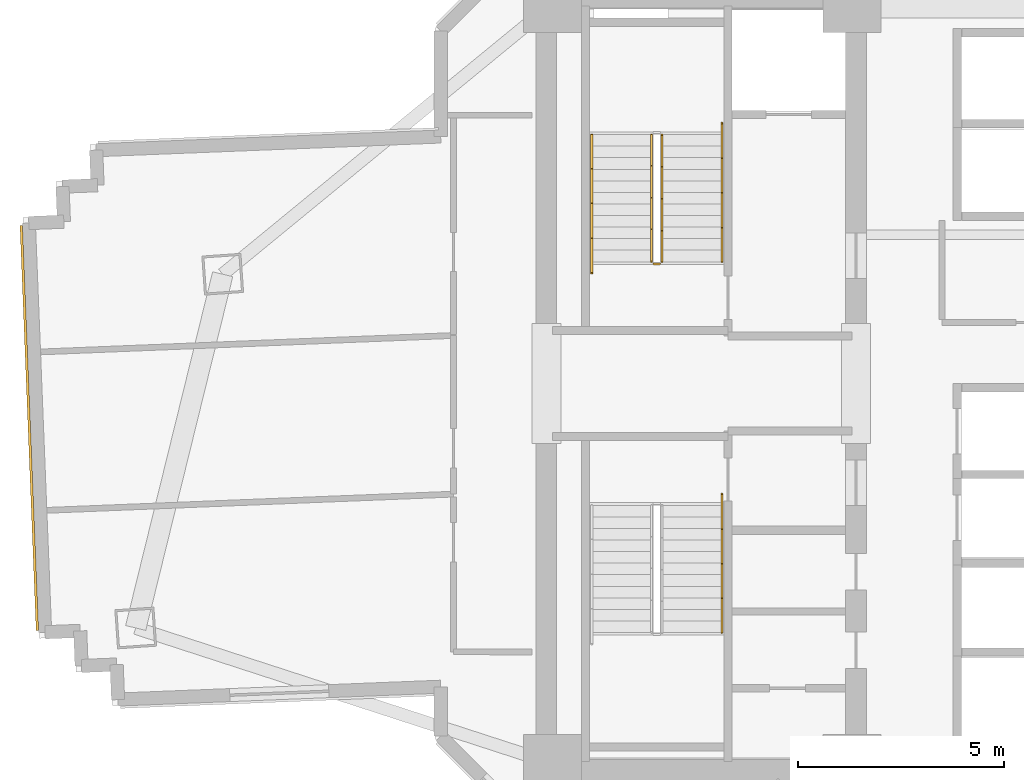
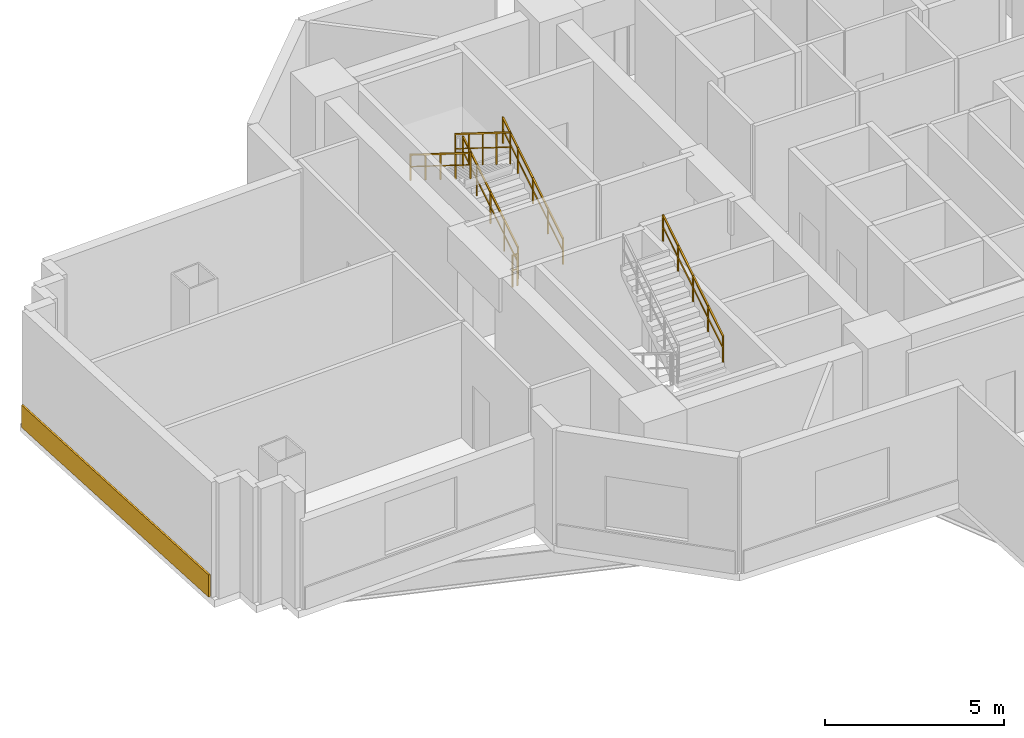
# One storey, part 13 of 16: 6 railings, 1 covering.
"""IFC4 building model written with IfcOpenShell, lengths in metres."""

from ifc_helpers import new_model, si_unit, direction, frame, origin, origin_2d, place, context, subcontext, project, spatial, rectangle, extrude, source, transform, mapped, material, layer, layer_set, type_object, element, save


model = new_model("IFC4")

# Units and contexts
model_context = context("Model", 3, precision=1e-05, world=origin(), true_north=direction((0.0, 1.0)))
body_context = subcontext(model_context, "Body", "Model", "MODEL_VIEW")
ifc_project = project(units=[si_unit("LENGTHUNIT", "METRE"), si_unit("AREAUNIT", "SQUARE_METRE"), si_unit("VOLUMEUNIT", "CUBIC_METRE"), si_unit("PLANEANGLEUNIT", "RADIAN"), si_unit("MASSUNIT", "GRAM", prefix="KILO")], contexts=[model_context])

# Site, building, storey
site_placement = place(None, origin())
site = spatial("IfcSite", under=ifc_project, at=site_placement, CompositionType="ELEMENT")
building_placement = place(site_placement, origin())
building = spatial("IfcBuilding", under=site, at=building_placement, Name="Zahravan Cultural Tower", CompositionType="ELEMENT")
storey_placement = place(building_placement, frame((0.0, 0.0, 58.5)))
storey = spatial("IfcBuildingStorey", under=building, at=storey_placement, Name="L12", CompositionType="ELEMENT", Elevation=58.5)

# Railings
ifc_material_1 = material(Name="Steel ASTM A572 Grade 50", Category="steel")
railing_type_1 = type_object("IfcRailingType", Name="RL-STAIR-GRD1150", PredefinedType="BALUSTRADE", material=ifc_material_1)
railing_1_placement = place(storey_placement, frame((24.300048828125, 29.949951171875, 0.175048828125)))
element("IfcRailing", 1, at=railing_1_placement, inside=storey, type_object=railing_type_1, Name="L12 ST-W1 stair guard 1", PredefinedType="BALUSTRADE", context=body_context, shape_type="SweptSolid", body=[
    extrude(rectangle(XDim=0.05, YDim=0.05, at=origin_2d()), frame((0.0, 0.0, 1.0751953125), z_axis=(0.0, 0.847998304005, 0.529998940003), x_axis=(-1.0, 0.0, 0.0)), (0.0, 0.0, 1.0), 3.632080078125),
    extrude(rectangle(XDim=0.032, YDim=0.032, at=origin_2d()), frame((0.0, 0.0, 0.572021484375), z_axis=(0.0, 0.847998304005, 0.529998940003), x_axis=(-1.0, 0.0, 0.0)), (0.0, 0.0, 1.0), 3.632080078125),
    extrude(rectangle(XDim=0.04, YDim=0.04, at=origin_2d()), origin(), (0.0, 0.0, 1.0), 1.10009765625),
    extrude(rectangle(XDim=0.04, YDim=0.04, at=origin_2d()), frame((0.0, 0.77001953125, 0.481201171875)), (0.0, 0.0, 1.0), 1.10009765625),
    extrude(rectangle(XDim=0.04, YDim=0.04, at=origin_2d()), frame((0.0, 1.5400390625, 0.96240234375)), (0.0, 0.0, 1.0), 1.10009765625),
    extrude(rectangle(XDim=0.04, YDim=0.04, at=origin_2d()), frame((0.0, 2.31005859375, 1.44384765625)), (0.0, 0.0, 1.0), 1.10009765625),
    extrude(rectangle(XDim=0.04, YDim=0.04, at=origin_2d()), frame((0.0, 3.080078125, 1.925048828125)), (0.0, 0.0, 1.0), 1.10009765625),
])
railing_2_placement = place(storey_placement, frame((24.050048828125, 33.030029296875, 2.27490234375)))
element("IfcRailing", 2, at=railing_2_placement, inside=storey, type_object=railing_type_1, Name="L12 ST-W1 stair guard 3", PredefinedType="BALUSTRADE", context=body_context, shape_type="SweptSolid", body=[
    extrude(rectangle(XDim=0.05, YDim=0.05, at=origin_2d()), frame((0.0, 0.0, 1.0751953125), z_axis=(0.0, -0.847998304005, 0.529998940003), x_axis=(1.0, 0.0, 0.0)), (0.0, 0.0, 1.0), 3.632080078125),
    extrude(rectangle(XDim=0.032, YDim=0.032, at=origin_2d()), frame((0.0, 0.0, 0.572021484375), z_axis=(0.0, -0.847998304005, 0.529998940003), x_axis=(1.0, 0.0, 0.0)), (0.0, 0.0, 1.0), 3.632080078125),
    extrude(rectangle(XDim=0.04, YDim=0.04, at=origin_2d()), origin(), (0.0, 0.0, 1.0), 1.10009765625),
    extrude(rectangle(XDim=0.04, YDim=0.04, at=origin_2d()), frame((0.0, -0.77001953125, 0.481201171875)), (0.0, 0.0, 1.0), 1.10009765625),
    extrude(rectangle(XDim=0.04, YDim=0.04, at=origin_2d()), frame((0.0, -1.5400390625, 0.96240234375)), (0.0, 0.0, 1.0), 1.10009765625),
    extrude(rectangle(XDim=0.04, YDim=0.04, at=origin_2d()), frame((0.0, -2.31005859375, 1.44384765625)), (0.0, 0.0, 1.0), 1.10009765625),
    extrude(rectangle(XDim=0.04, YDim=0.04, at=origin_2d()), frame((0.0, -3.080078125, 1.925048828125)), (0.0, 0.0, 1.0), 1.10009765625),
])
railing_3_placement = place(storey_placement, frame((24.25, 29.89990234375, 0.0)))
element("IfcRailing", 3, at=railing_3_placement, inside=storey, type_object=railing_type_1, Name="L12 ST-W1 stair guard 4", PredefinedType="BALUSTRADE", context=body_context, shape_type="SweptSolid", body=[
    extrude(rectangle(XDim=0.05, YDim=0.05, at=origin_2d()), frame((0.0, 0.0, 1.0751953125), z_axis=(-1.0, 0.0, 0.0), x_axis=(0.0, -1.0, 0.0)), (0.0, 0.0, 1.0), 0.14990234375),
    extrude(rectangle(XDim=0.032, YDim=0.032, at=origin_2d()), frame((0.0, 0.0, 0.572021484375), z_axis=(-1.0, 0.0, 0.0), x_axis=(0.0, -1.0, 0.0)), (0.0, 0.0, 1.0), 0.14990234375),
    extrude(rectangle(XDim=0.04, YDim=0.04, at=origin_2d()), origin(), (0.0, 0.0, 1.0), 1.10009765625),
    extrude(rectangle(XDim=0.04, YDim=0.04, at=origin_2d()), frame((-0.14990234375, 0.0, 0.0)), (0.0, 0.0, 1.0), 1.10009765625),
])
railing_type_2 = type_object("IfcRailingType", Name="RL-STAIR-HR900", PredefinedType="HANDRAIL", material=ifc_material_1)
railing_4_placement = place(storey_placement, frame((25.75, 29.949951171875, 0.175048828125)))
element("IfcRailing", 4, at=railing_4_placement, inside=storey, type_object=railing_type_2, Name="L12 ST-W1 stair handrail 1", PredefinedType="HANDRAIL", context=body_context, shape_type="SweptSolid", body=[
    extrude(rectangle(XDim=0.05, YDim=0.05, at=origin_2d()), frame((0.0, 0.0, 0.875), z_axis=(0.0, 0.848022534174, 0.529960169762), x_axis=(-1.0, 0.0, 0.0)), (0.0, 0.0, 1.0), 3.96240234375),
    extrude(rectangle(XDim=0.032, YDim=0.032, at=origin_2d()), frame((0.0, 0.0, 0.468017578125), z_axis=(0.0, 0.848022534174, 0.529960169762), x_axis=(-1.0, 0.0, 0.0)), (0.0, 0.0, 1.0), 3.96240234375),
    extrude(rectangle(XDim=0.04, YDim=0.04, at=origin_2d()), origin(), (0.0, 0.0, 1.0), 0.89990234375),
    extrude(rectangle(XDim=0.04, YDim=0.04, at=origin_2d()), frame((0.0, 0.840087890625, 0.52490234375)), (0.0, 0.0, 1.0), 0.89990234375),
    extrude(rectangle(XDim=0.04, YDim=0.04, at=origin_2d()), frame((0.0, 1.68017578125, 1.0498046875)), (0.0, 0.0, 1.0), 0.89990234375),
    extrude(rectangle(XDim=0.04, YDim=0.04, at=origin_2d()), frame((0.0, 2.52001953125, 1.574951171875)), (0.0, 0.0, 1.0), 0.89990234375),
    extrude(rectangle(XDim=0.04, YDim=0.04, at=origin_2d()), frame((0.0, 3.360107421875, 2.099853515625)), (0.0, 0.0, 1.0), 0.89990234375),
])
railing_5_placement = place(storey_placement, frame((22.60009765625, 33.030029296875, 2.27490234375)))
element("IfcRailing", 5, at=railing_5_placement, inside=storey, type_object=railing_type_2, Name="L12 ST-W1 stair handrail 2", PredefinedType="HANDRAIL", context=body_context, shape_type="SweptSolid", body=[
    extrude(rectangle(XDim=0.05, YDim=0.05, at=origin_2d()), frame((0.0, 0.0, 0.875), z_axis=(0.0, -0.847994842521, 0.530004478338), x_axis=(1.0, 0.0, 0.0)), (0.0, 0.0, 1.0), 3.96240234375),
    extrude(rectangle(XDim=0.032, YDim=0.032, at=origin_2d()), frame((0.0, 0.0, 0.468017578125), z_axis=(0.0, -0.847994842521, 0.530004478338), x_axis=(1.0, 0.0, 0.0)), (0.0, 0.0, 1.0), 3.96240234375),
    extrude(rectangle(XDim=0.04, YDim=0.04, at=origin_2d()), origin(), (0.0, 0.0, 1.0), 0.89990234375),
    extrude(rectangle(XDim=0.04, YDim=0.04, at=origin_2d()), frame((0.0, -0.840087890625, 0.52490234375)), (0.0, 0.0, 1.0), 0.89990234375),
    extrude(rectangle(XDim=0.04, YDim=0.04, at=origin_2d()), frame((0.0, -1.68017578125, 1.050048828125)), (0.0, 0.0, 1.0), 0.89990234375),
    extrude(rectangle(XDim=0.04, YDim=0.04, at=origin_2d()), frame((0.0, -2.52001953125, 1.5751953125)), (0.0, 0.0, 1.0), 0.89990234375),
    extrude(rectangle(XDim=0.04, YDim=0.04, at=origin_2d()), frame((0.0, -3.360107421875, 2.10009765625)), (0.0, 0.0, 1.0), 0.89990234375),
])
railing_6_placement = place(storey_placement, frame((25.75, 20.969970703125, 2.27490234375)))
element("IfcRailing", 6, at=railing_6_placement, inside=storey, type_object=railing_type_2, Name="L12 ST-W2 stair handrail 2", PredefinedType="HANDRAIL", context=body_context, shape_type="SweptSolid", body=[
    extrude(rectangle(XDim=0.05, YDim=0.05, at=origin_2d()), frame((0.0, 0.0, 0.875), z_axis=(0.0, 0.847994842521, 0.530004478338), x_axis=(-1.0, 0.0, 0.0)), (0.0, 0.0, 1.0), 3.96240234375),
    extrude(rectangle(XDim=0.032, YDim=0.032, at=origin_2d()), frame((0.0, 0.0, 0.468017578125), z_axis=(0.0, 0.847994842521, 0.530004478338), x_axis=(-1.0, 0.0, 0.0)), (0.0, 0.0, 1.0), 3.96240234375),
    extrude(rectangle(XDim=0.04, YDim=0.04, at=origin_2d()), origin(), (0.0, 0.0, 1.0), 0.89990234375),
    extrude(rectangle(XDim=0.04, YDim=0.04, at=origin_2d()), frame((0.0, 0.840087890625, 0.52490234375)), (0.0, 0.0, 1.0), 0.89990234375),
    extrude(rectangle(XDim=0.04, YDim=0.04, at=origin_2d()), frame((0.0, 1.68017578125, 1.050048828125)), (0.0, 0.0, 1.0), 0.89990234375),
    extrude(rectangle(XDim=0.04, YDim=0.04, at=origin_2d()), frame((0.0, 2.52001953125, 1.5751953125)), (0.0, 0.0, 1.0), 0.89990234375),
    extrude(rectangle(XDim=0.04, YDim=0.04, at=origin_2d()), frame((0.0, 3.360107421875, 2.10009765625)), (0.0, 0.0, 1.0), 0.89990234375),
])

# Covering
ifc_material_2 = material(Name="Terracotta ceramic cladding", Category="masonry")
ifc_layer = layer(ifc_material_2, 0.06005859375)
ifc_layer_set = layer_set([ifc_layer], Name="Terracotta ceramic cladding")
covering_type = type_object("IfcCoveringType", Name="COV-CLAD-TC60", PredefinedType="CLADDING", material=ifc_layer_set)
shared_shape = source(origin(), body_context, "Body", "SweptSolid", [
    extrude(rectangle(XDim=9.820068359375, YDim=0.06005859375, at=origin_2d()), origin(), (0.0, 0.0, 1.0), 0.760009765625),
])
covering_placement = place(storey_placement, frame((8.976318359375, 25.924072265625, 0.02001953125), z_axis=(0.0, 0.0, 1.0), x_axis=(-0.039783005453, 0.999208342878, 0.0)))
element("IfcCovering", 7, at=covering_placement, inside=storey, type_object=covering_type, Name="L12 Terracotta Spandrel Cladding 33", PredefinedType="CLADDING", context=body_context, shape_type="MappedRepresentation", body=[
    mapped(shared_shape, transform((0.0, 0.0, 0.0), x_axis=(1.0, 0.0, 0.0), y_axis=(0.0, 1.0, 0.0), z_axis=(0.0, 0.0, 1.0), scale=1.0)),
])

save(model, "model.ifc")
